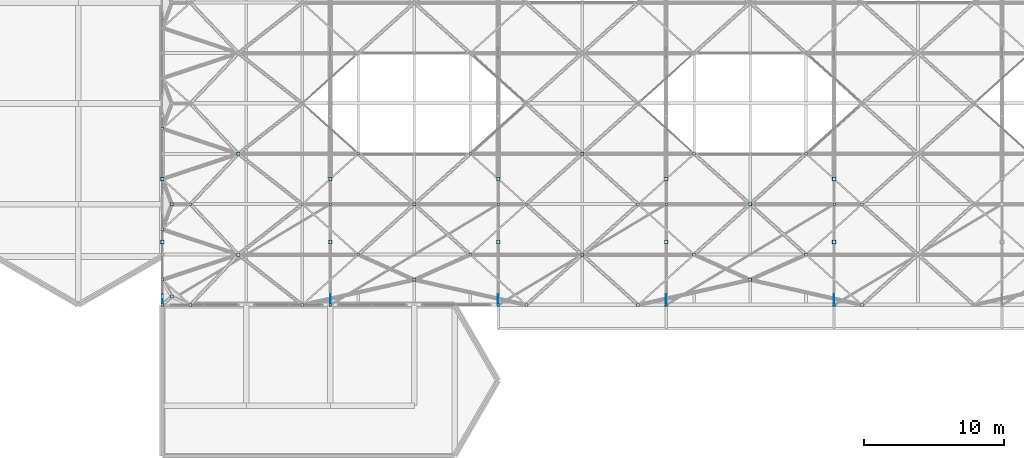
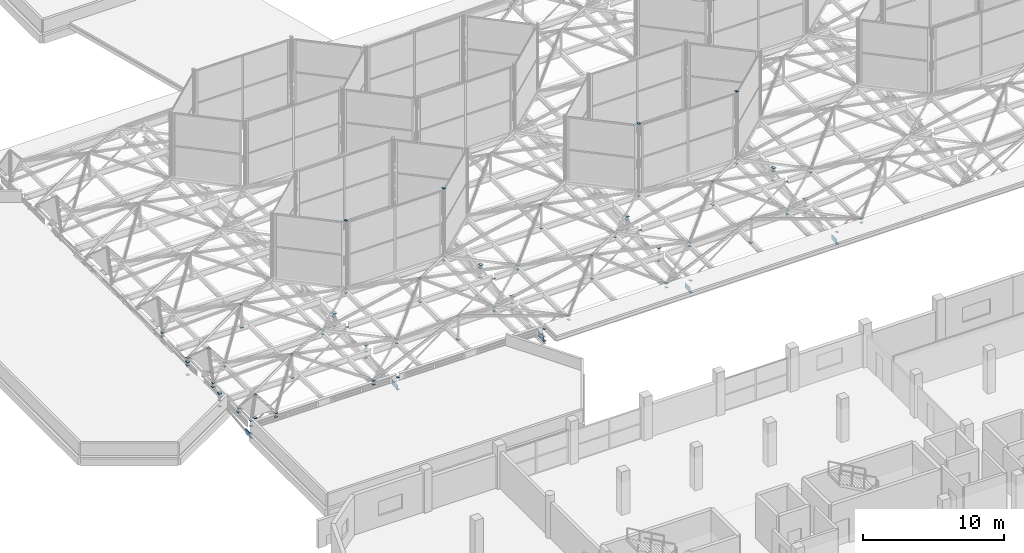
# One storey, part 218 of 239: 117 plates.
"""IFC4 building model written with IfcOpenShell, lengths in metres."""

from ifc_helpers import new_model, si_unit, direction, frame, origin, origin_2d, place, context, subcontext, project, spatial, rectangle, extrude, material, layer, layer_set, type_object, element, save


model = new_model("IFC4")

# Units and contexts
model_context = context("Model", 3, precision=1e-05, world=origin(), true_north=direction((0.0, 1.0)))
body_context = subcontext(model_context, "Body", "Model", "MODEL_VIEW")
ifc_project = project(units=[si_unit("LENGTHUNIT", "METRE"), si_unit("AREAUNIT", "SQUARE_METRE"), si_unit("VOLUMEUNIT", "CUBIC_METRE"), si_unit("PLANEANGLEUNIT", "RADIAN"), si_unit("MASSUNIT", "GRAM", prefix="KILO")], contexts=[model_context])

# Site, building, storey
site_placement = place(None, origin())
site = spatial("IfcSite", under=ifc_project, at=site_placement, CompositionType="ELEMENT")
building_placement = place(site_placement, origin())
building = spatial("IfcBuilding", under=site, at=building_placement, Name="Dunvalen Ferry Terminal", CompositionType="ELEMENT")
storey_placement = place(building_placement, frame((0.0, 0.0, 9.840087890625)))
storey = spatial("IfcBuildingStorey", under=building, at=storey_placement, Name="L02", CompositionType="ELEMENT", Elevation=9.840087890625)

# Plates
ifc_material = material(Name="Steel S355", Category="steel")
ifc_layer_1 = layer(ifc_material, 0.02001953125, Name="Steel S355")
ifc_layer_set_1 = layer_set([ifc_layer_1], Name="Steel S355")
plate_type_1 = type_object("IfcPlateType", Name="STR-PL-GUSSET-01", PredefinedType="USERDEFINED", material=ifc_layer_set_1)
for number, where, z_axis, x_axis, name in (
    (1, (12.0, 54.89990234375, 0.760009765625), (0.0, 0.0, 1.0), (1.0, 0.0, 0.0), "Departure Hall Spandrel Strut Cap Plate 01.1"),
    (2, (12.0, 59.39990234375, 0.760009765625), (0.0, 0.0, 1.0), (1.0, 0.0, 0.0), "Departure Hall Spandrel Strut Cap Plate 01.2"),
    (3, (24.0, 54.89990234375, 0.760009765625), (0.0, 0.0, 1.0), (1.0, 0.0, 0.0), "Departure Hall Spandrel Strut Cap Plate 02.1"),
    (4, (24.0, 59.39990234375, 0.760009765625), (0.0, 0.0, 1.0), (1.0, 0.0, 0.0), "Departure Hall Spandrel Strut Cap Plate 02.2"),
    (5, (36.0, 54.89990234375, 0.760009765625), (0.0, 0.0, 1.0), (1.0, 0.0, 0.0), "Departure Hall Spandrel Strut Cap Plate 03.1"),
    (6, (36.0, 59.39990234375, 0.760009765625), (0.0, 0.0, 1.0), (1.0, 0.0, 0.0), "Departure Hall Spandrel Strut Cap Plate 03.2"),
    (7, (48.0, 54.89990234375, 0.760009765625), (0.0, 0.0, 1.0), (1.0, 0.0, 0.0), "Departure Hall Spandrel Strut Cap Plate 04.1"),
    (8, (48.0, 59.39990234375, 0.760009765625), (0.0, 0.0, 1.0), (1.0, 0.0, 0.0), "Departure Hall Spandrel Strut Cap Plate 04.2"),
    (9, (60.0, 54.89990234375, 0.760009765625), (0.0, 0.0, 1.0), (1.0, 0.0, 0.0), "Departure Hall Spandrel Strut Cap Plate 05.1"),
    (10, (60.0, 59.39990234375, 0.760009765625), (0.0, 0.0, 1.0), (1.0, 0.0, 0.0), "Departure Hall Spandrel Strut Cap Plate 05.2"),
):
    element("IfcPlate", number, at=place(storey_placement, frame(where, z_axis=z_axis, x_axis=x_axis)), inside=storey, type_object=plate_type_1, Name=name, ObjectType="GUSSET PLATE", PredefinedType="USERDEFINED", context=body_context, shape_type="SweptSolid", body=[
        extrude(rectangle(XDim=0.260009765625, YDim=0.260009765625, at=origin_2d()), origin(), (0.0, 0.0, 1.0), 0.02001953125),
    ])
for number, where, z_axis, x_axis, name in (
    (11, (12.0, 50.39990234375, 0.64990234375), (0.0, 0.0, 1.0), (1.0, 0.0, 0.0), "Departure Hall Wind Brace End Cap Plate 1.50.1"),
    (12, (24.0, 57.60009765625, 0.64990234375), (0.0, 0.0, 1.0), (1.0, 0.0, 0.0), "Departure Hall Wind Brace End Cap Plate 1.50.2"),
    (13, (24.0, 50.39990234375, 0.64990234375), (0.0, 0.0, 1.0), (1.0, 0.0, 0.0), "Departure Hall Wind Brace End Cap Plate 2.50.1"),
    (14, (36.0, 57.60009765625, 0.64990234375), (0.0, 0.0, 1.0), (1.0, 0.0, 0.0), "Departure Hall Wind Brace End Cap Plate 2.50.2"),
    (15, (36.0, 50.39990234375, 0.64990234375), (0.0, 0.0, 1.0), (1.0, 0.0, 0.0), "Departure Hall Wind Brace End Cap Plate 3.50.1"),
    (16, (48.0, 57.60009765625, 0.64990234375), (0.0, 0.0, 1.0), (1.0, 0.0, 0.0), "Departure Hall Wind Brace End Cap Plate 3.50.2"),
    (17, (48.0, 50.39990234375, 0.64990234375), (0.0, 0.0, 1.0), (1.0, 0.0, 0.0), "Departure Hall Wind Brace End Cap Plate 4.50.1"),
    (18, (60.0, 57.60009765625, 0.64990234375), (0.0, 0.0, 1.0), (1.0, 0.0, 0.0), "Departure Hall Wind Brace End Cap Plate 4.50.2"),
    (19, (60.0, 50.39990234375, 0.64990234375), (0.0, 0.0, 1.0), (1.0, 0.0, 0.0), "Departure Hall Wind Brace End Cap Plate 5.50.1"),
):
    element("IfcPlate", number, at=place(storey_placement, frame(where, z_axis=z_axis, x_axis=x_axis)), inside=storey, type_object=plate_type_1, Name=name, ObjectType="GUSSET PLATE", PredefinedType="USERDEFINED", context=body_context, shape_type="SweptSolid", body=[
        extrude(rectangle(XDim=0.179931640625, YDim=0.179931640625, at=origin_2d()), origin(), (0.0, 0.0, 1.0), 0.02001953125),
    ])
for number, where, z_axis, x_axis, name in (
    (20, (12.666748046875, 51.0, 0.760009765625), (0.0, 0.0, 1.0), (1.0, 0.0, 0.0), "HEX-01 Pyramid Apex Strut Base Cap Plate"),
    (21, (12.666748046875, 57.60009765625, 0.760009765625), (0.0, 0.0, 1.0), (1.0, 0.0, 0.0), "HEX-02 Pyramid Apex Strut Base Cap Plate"),
    (22, (17.4287109375, 54.0, 0.760009765625), (0.0, 0.0, 1.0), (1.0, 0.0, 0.0), "HEX-07 Pyramid Apex Strut Base Cap Plate"),
    (23, (17.4287109375, 61.199951171875, 0.760009765625), (0.0, 0.0, 1.0), (1.0, 0.0, 0.0), "HEX-08 Pyramid Apex Strut Base Cap Plate"),
    (24, (30.0, 52.199951171875, 0.760009765625), (0.0, 0.0, 1.0), (1.0, 0.0, 0.0), "HEX-12 Pyramid Apex Strut Base Cap Plate"),
    (25, (30.0, 57.60009765625, 0.760009765625), (0.0, 0.0, 1.0), (1.0, 0.0, 0.0), "HEX-13 Pyramid Apex Strut Base Cap Plate"),
    (26, (42.0, 54.0, 0.760009765625), (0.0, 0.0, 1.0), (1.0, 0.0, 0.0), "HEX-18 Pyramid Apex Strut Base Cap Plate"),
    (27, (42.0, 61.199951171875, 0.760009765625), (0.0, 0.0, 1.0), (1.0, 0.0, 0.0), "HEX-19 Pyramid Apex Strut Base Cap Plate"),
    (28, (54.0, 52.199951171875, 0.760009765625), (0.0, 0.0, 1.0), (1.0, 0.0, 0.0), "HEX-23 Pyramid Apex Strut Base Cap Plate"),
    (29, (54.0, 57.60009765625, 0.760009765625), (0.0, 0.0, 1.0), (1.0, 0.0, 0.0), "HEX-24 Pyramid Apex Strut Base Cap Plate"),
):
    element("IfcPlate", number, at=place(storey_placement, frame(where, z_axis=z_axis, x_axis=x_axis)), inside=storey, type_object=plate_type_1, Name=name, ObjectType="GUSSET PLATE", PredefinedType="USERDEFINED", context=body_context, shape_type="SweptSolid", body=[
        extrude(rectangle(XDim=0.239990234375, YDim=0.239990234375, at=origin_2d()), origin(), (0.0, 0.0, 1.0), 0.02001953125),
    ])
for number, where, z_axis, x_axis, name in (
    (30, (12.0, 50.39990234375, -0.3701171875), (0.0, 0.0, 1.0), (1.0, 0.0, 0.0), "L02 Brace-Strut End Cleat Plate 001"),
    (31, (12.0, 54.89990234375, -0.3701171875), (0.0, 0.0, 1.0), (1.0, 0.0, 0.0), "L02 Brace-Strut End Cleat Plate 003"),
    (32, (12.0, 59.39990234375, -0.3701171875), (0.0, 0.0, 1.0), (1.0, 0.0, 0.0), "L02 Brace-Strut End Cleat Plate 005"),
    (33, (24.0, 54.89990234375, 0.15869140625), (0.0, 0.0, 1.0), (1.0, 0.0, 0.0), "L02 Brace-Strut End Cleat Plate 015"),
    (34, (24.0, 59.39990234375, 0.46484375), (0.0, 0.0, 1.0), (1.0, 0.0, 0.0), "L02 Brace-Strut End Cleat Plate 017"),
    (35, (36.0, 50.39990234375, -0.3701171875), (0.0, 0.0, 1.0), (1.0, 0.0, 0.0), "L02 Brace-Strut End Cleat Plate 027"),
    (36, (36.0, 54.89990234375, -0.3701171875), (0.0, 0.0, 1.0), (1.0, 0.0, 0.0), "L02 Brace-Strut End Cleat Plate 029"),
    (37, (36.0, 59.39990234375, -0.3701171875), (0.0, 0.0, 1.0), (1.0, 0.0, 0.0), "L02 Brace-Strut End Cleat Plate 031"),
    (38, (48.0, 54.89990234375, 0.15869140625), (0.0, 0.0, 1.0), (1.0, 0.0, 0.0), "L02 Brace-Strut End Cleat Plate 041"),
    (39, (48.0, 59.39990234375, 0.46484375), (0.0, 0.0, 1.0), (1.0, 0.0, 0.0), "L02 Brace-Strut End Cleat Plate 043"),
    (40, (60.0, 50.39990234375, -0.3701171875), (0.0, 0.0, 1.0), (1.0, 0.0, 0.0), "L02 Brace-Strut End Cleat Plate 053"),
    (41, (60.0, 54.89990234375, -0.3701171875), (0.0, 0.0, 1.0), (1.0, 0.0, 0.0), "L02 Brace-Strut End Cleat Plate 055"),
    (42, (60.0, 59.39990234375, -0.3701171875), (0.0, 0.0, 1.0), (1.0, 0.0, 0.0), "L02 Brace-Strut End Cleat Plate 057"),
    (43, (12.666748046875, 51.0, 2.7548828125), (0.0, 0.0, 1.0), (1.0, 0.0, 0.0), "L02 Brace-Strut End Cleat Plate 151"),
    (44, (14.0, 50.39990234375, 0.760009765625), (0.0, 0.0, 1.0), (1.0, 0.0, 0.0), "L02 Brace-Strut End Cleat Plate 153"),
    (45, (12.0, 52.199951171875, 0.760009765625), (0.0, 0.0, 1.0), (1.0, 0.0, 0.0), "L02 Brace-Strut End Cleat Plate 155"),
    (46, (12.666748046875, 57.60009765625, 2.7548828125), (0.0, 0.0, 1.0), (1.0, 0.0, 0.0), "L02 Brace-Strut End Cleat Plate 157"),
    (47, (12.0, 55.800048828125, 1.08984375), (0.0, 0.0, 1.0), (1.0, 0.0, 0.0), "L02 Brace-Strut End Cleat Plate 159"),
    (48, (14.0, 57.60009765625, 1.08984375), (0.0, 0.0, 1.0), (1.0, 0.0, 0.0), "L02 Brace-Strut End Cleat Plate 161"),
    (49, (12.0, 63.0, 1.08984375), (0.0, 0.0, 1.0), (1.0, 0.0, 0.0), "L02 Brace-Strut End Cleat Plate 165"),
    (50, (22.0, 50.39990234375, 0.760009765625), (0.0, 0.0, 1.0), (1.0, 0.0, 0.0), "L02 Brace-Strut End Cleat Plate 191"),
    (51, (26.0, 54.0, 0.760009765625), (0.0, 0.0, 1.0), (1.0, 0.0, 0.0), "L02 Brace-Strut End Cleat Plate 193"),
    (52, (22.0, 57.60009765625, 0.760009765625), (0.0, 0.0, 1.0), (1.0, 0.0, 0.0), "L02 Brace-Strut End Cleat Plate 195"),
    (53, (17.4287109375, 61.199951171875, 2.7548828125), (0.0, 0.0, 1.0), (1.0, 0.0, 0.0), "L02 Brace-Strut End Cleat Plate 197"),
    (54, (26.0, 61.199951171875, 1.08984375), (0.0, 0.0, 1.0), (1.0, 0.0, 0.0), "L02 Brace-Strut End Cleat Plate 199"),
    (55, (30.0, 52.199951171875, 2.7548828125), (0.0, 0.0, 1.0), (1.0, 0.0, 0.0), "L02 Brace-Strut End Cleat Plate 217"),
    (56, (38.0, 50.39990234375, 1.08984375), (0.0, 0.0, 1.0), (1.0, 0.0, 0.0), "L02 Brace-Strut End Cleat Plate 219"),
    (57, (34.0, 54.0, 1.08984375), (0.0, 0.0, 1.0), (1.0, 0.0, 0.0), "L02 Brace-Strut End Cleat Plate 221"),
    (58, (38.0, 57.60009765625, 0.760009765625), (0.0, 0.0, 1.0), (1.0, 0.0, 0.0), "L02 Brace-Strut End Cleat Plate 223"),
    (59, (34.0, 61.199951171875, 0.760009765625), (0.0, 0.0, 1.0), (1.0, 0.0, 0.0), "L02 Brace-Strut End Cleat Plate 225"),
    (60, (34.0, 61.199951171875, 6.989990234375), (0.0, 0.0, 1.0), (1.0, 0.0, 0.0), "L02 Brace-Strut End Cleat Plate 229"),
    (61, (42.0, 54.0, 2.7548828125), (0.0, 0.0, 1.0), (1.0, 0.0, 0.0), "L02 Brace-Strut End Cleat Plate 253"),
    (62, (46.0, 50.39990234375, 1.08984375), (0.0, 0.0, 1.0), (1.0, 0.0, 0.0), "L02 Brace-Strut End Cleat Plate 255"),
    (63, (50.0, 54.0, 1.08984375), (0.0, 0.0, 1.0), (1.0, 0.0, 0.0), "L02 Brace-Strut End Cleat Plate 257"),
    (64, (46.0, 57.60009765625, 1.08984375), (0.0, 0.0, 1.0), (1.0, 0.0, 0.0), "L02 Brace-Strut End Cleat Plate 259"),
    (65, (50.0, 61.199951171875, 0.760009765625), (0.0, 0.0, 1.0), (1.0, 0.0, 0.0), "L02 Brace-Strut End Cleat Plate 261"),
    (66, (62.0, 50.39990234375, 0.760009765625), (0.0, 0.0, 1.0), (1.0, 0.0, 0.0), "L02 Brace-Strut End Cleat Plate 285"),
    (67, (58.0, 54.0, 0.760009765625), (0.0, 0.0, 1.0), (1.0, 0.0, 0.0), "L02 Brace-Strut End Cleat Plate 287"),
    (68, (54.0, 57.60009765625, 2.7548828125), (0.0, 0.0, 1.0), (1.0, 0.0, 0.0), "L02 Brace-Strut End Cleat Plate 289"),
    (69, (62.0, 57.60009765625, 1.08984375), (0.0, 0.0, 1.0), (1.0, 0.0, 0.0), "L02 Brace-Strut End Cleat Plate 291"),
    (70, (58.0, 61.199951171875, 1.08984375), (0.0, 0.0, 1.0), (1.0, 0.0, 0.0), "L02 Brace-Strut End Cleat Plate 293"),
    (71, (50.0, 61.199951171875, 6.989990234375), (0.0, 0.0, 1.0), (1.0, 0.0, 0.0), "L02 Brace-Strut End Cleat Plate 295"),
):
    element("IfcPlate", number, at=place(storey_placement, frame(where, z_axis=z_axis, x_axis=x_axis)), inside=storey, type_object=plate_type_1, Name=name, ObjectType="GUSSET PLATE", PredefinedType="USERDEFINED", context=body_context, shape_type="SweptSolid", body=[
        extrude(rectangle(XDim=0.199951171875, YDim=0.199951171875, at=origin_2d()), origin(), (0.0, 0.0, 1.0), 0.02001953125),
    ])
ifc_layer_2 = layer(ifc_material, 0.02587890625, Name="Steel S355")
ifc_layer_set_2 = layer_set([ifc_layer_2], Name="Steel S355")
plate_type_2 = type_object("IfcPlateType", Name="STR-PL-GUSSET-02", PredefinedType="USERDEFINED", material=ifc_layer_set_2)
for number, where, z_axis, x_axis, name in (
    (72, (12.0, 50.800048828125, -0.46484375), (0.0, 0.0, 1.0), (1.0, 0.0, 0.0), "Departure Hall Arch Gusset Plate 01.1"),
    (73, (24.0, 50.800048828125, -0.46484375), (0.0, 0.0, 1.0), (1.0, 0.0, 0.0), "Departure Hall Arch Gusset Plate 02.1"),
    (74, (36.0, 50.800048828125, -0.46484375), (0.0, 0.0, 1.0), (1.0, 0.0, 0.0), "Departure Hall Arch Gusset Plate 03.1"),
    (75, (48.0, 50.800048828125, -0.46484375), (0.0, 0.0, 1.0), (1.0, 0.0, 0.0), "Departure Hall Arch Gusset Plate 04.1"),
    (76, (60.0, 50.800048828125, -0.46484375), (0.0, 0.0, 1.0), (1.0, 0.0, 0.0), "Departure Hall Arch Gusset Plate 05.1"),
):
    element("IfcPlate", number, at=place(storey_placement, frame(where, z_axis=z_axis, x_axis=x_axis)), inside=storey, type_object=plate_type_2, Name=name, ObjectType="GUSSET PLATE", PredefinedType="USERDEFINED", context=body_context, shape_type="SweptSolid", body=[
        extrude(rectangle(XDim=0.031982421875, YDim=0.75, at=origin_2d()), origin(), (0.0, 0.0, 1.0), 0.449951171875),
    ])
for number, where, z_axis, x_axis, name in (
    (77, (12.0, 54.89990234375, 0.15576171875), (0.0, 0.0, 1.0), (1.0, 0.0, 0.0), "L02 Brace-Strut End Cleat Plate 002"),
    (78, (12.0, 59.39990234375, 0.4619140625), (0.0, 0.0, 1.0), (1.0, 0.0, 0.0), "L02 Brace-Strut End Cleat Plate 004"),
    (79, (24.0, 50.39990234375, -0.373046875), (0.0, 0.0, 1.0), (1.0, 0.0, 0.0), "L02 Brace-Strut End Cleat Plate 014"),
    (80, (24.0, 54.89990234375, -0.373046875), (0.0, 0.0, 1.0), (1.0, 0.0, 0.0), "L02 Brace-Strut End Cleat Plate 016"),
    (81, (24.0, 59.39990234375, -0.373046875), (0.0, 0.0, 1.0), (1.0, 0.0, 0.0), "L02 Brace-Strut End Cleat Plate 018"),
    (82, (36.0, 54.89990234375, 0.15576171875), (0.0, 0.0, 1.0), (1.0, 0.0, 0.0), "L02 Brace-Strut End Cleat Plate 028"),
    (83, (36.0, 59.39990234375, 0.4619140625), (0.0, 0.0, 1.0), (1.0, 0.0, 0.0), "L02 Brace-Strut End Cleat Plate 030"),
    (84, (48.0, 50.39990234375, -0.373046875), (0.0, 0.0, 1.0), (1.0, 0.0, 0.0), "L02 Brace-Strut End Cleat Plate 040"),
    (85, (48.0, 54.89990234375, -0.373046875), (0.0, 0.0, 1.0), (1.0, 0.0, 0.0), "L02 Brace-Strut End Cleat Plate 042"),
    (86, (48.0, 59.39990234375, -0.373046875), (0.0, 0.0, 1.0), (1.0, 0.0, 0.0), "L02 Brace-Strut End Cleat Plate 044"),
    (87, (60.0, 54.89990234375, 0.15576171875), (0.0, 0.0, 1.0), (1.0, 0.0, 0.0), "L02 Brace-Strut End Cleat Plate 054"),
    (88, (60.0, 59.39990234375, 0.4619140625), (0.0, 0.0, 1.0), (1.0, 0.0, 0.0), "L02 Brace-Strut End Cleat Plate 056"),
    (89, (12.0, 50.39990234375, 1.0869140625), (0.0, 0.0, 1.0), (1.0, 0.0, 0.0), "L02 Brace-Strut End Cleat Plate 152"),
    (90, (14.0, 50.39990234375, 1.0869140625), (0.0, 0.0, 1.0), (1.0, 0.0, 0.0), "L02 Brace-Strut End Cleat Plate 154"),
    (91, (12.0, 52.199951171875, 1.0869140625), (0.0, 0.0, 1.0), (1.0, 0.0, 0.0), "L02 Brace-Strut End Cleat Plate 156"),
    (92, (12.0, 55.800048828125, 0.757080078125), (0.0, 0.0, 1.0), (1.0, 0.0, 0.0), "L02 Brace-Strut End Cleat Plate 158"),
    (93, (14.0, 57.60009765625, 0.757080078125), (0.0, 0.0, 1.0), (1.0, 0.0, 0.0), "L02 Brace-Strut End Cleat Plate 160"),
    (94, (12.0, 59.39990234375, 1.0869140625), (0.0, 0.0, 1.0), (1.0, 0.0, 0.0), "L02 Brace-Strut End Cleat Plate 162"),
    (95, (12.0, 63.0, 0.757080078125), (0.0, 0.0, 1.0), (1.0, 0.0, 0.0), "L02 Brace-Strut End Cleat Plate 164"),
    (96, (17.4287109375, 54.0, 2.751953125), (0.0, 0.0, 1.0), (1.0, 0.0, 0.0), "L02 Brace-Strut End Cleat Plate 190"),
    (97, (22.0, 50.39990234375, 1.0869140625), (0.0, 0.0, 1.0), (1.0, 0.0, 0.0), "L02 Brace-Strut End Cleat Plate 192"),
    (98, (26.0, 54.0, 1.0869140625), (0.0, 0.0, 1.0), (1.0, 0.0, 0.0), "L02 Brace-Strut End Cleat Plate 194"),
    (99, (22.0, 57.60009765625, 1.0869140625), (0.0, 0.0, 1.0), (1.0, 0.0, 0.0), "L02 Brace-Strut End Cleat Plate 196"),
    (100, (26.0, 61.199951171875, 0.757080078125), (0.0, 0.0, 1.0), (1.0, 0.0, 0.0), "L02 Brace-Strut End Cleat Plate 198"),
    (101, (38.0, 50.39990234375, 0.757080078125), (0.0, 0.0, 1.0), (1.0, 0.0, 0.0), "L02 Brace-Strut End Cleat Plate 218"),
    (102, (34.0, 54.0, 0.757080078125), (0.0, 0.0, 1.0), (1.0, 0.0, 0.0), "L02 Brace-Strut End Cleat Plate 220"),
    (103, (30.0, 57.60009765625, 2.751953125), (0.0, 0.0, 1.0), (1.0, 0.0, 0.0), "L02 Brace-Strut End Cleat Plate 222"),
    (104, (38.0, 57.60009765625, 1.0869140625), (0.0, 0.0, 1.0), (1.0, 0.0, 0.0), "L02 Brace-Strut End Cleat Plate 224"),
    (105, (34.0, 61.199951171875, 1.0869140625), (0.0, 0.0, 1.0), (1.0, 0.0, 0.0), "L02 Brace-Strut End Cleat Plate 226"),
    (106, (26.0, 61.199951171875, 6.987060546875), (0.0, 0.0, 1.0), (1.0, 0.0, 0.0), "L02 Brace-Strut End Cleat Plate 228"),
    (107, (46.0, 50.39990234375, 0.757080078125), (0.0, 0.0, 1.0), (1.0, 0.0, 0.0), "L02 Brace-Strut End Cleat Plate 254"),
    (108, (50.0, 54.0, 0.757080078125), (0.0, 0.0, 1.0), (1.0, 0.0, 0.0), "L02 Brace-Strut End Cleat Plate 256"),
    (109, (46.0, 57.60009765625, 0.757080078125), (0.0, 0.0, 1.0), (1.0, 0.0, 0.0), "L02 Brace-Strut End Cleat Plate 258"),
    (110, (42.0, 61.199951171875, 2.751953125), (0.0, 0.0, 1.0), (1.0, 0.0, 0.0), "L02 Brace-Strut End Cleat Plate 260"),
    (111, (50.0, 61.199951171875, 1.0869140625), (0.0, 0.0, 1.0), (1.0, 0.0, 0.0), "L02 Brace-Strut End Cleat Plate 262"),
    (112, (54.0, 52.199951171875, 2.751953125), (0.0, 0.0, 1.0), (1.0, 0.0, 0.0), "L02 Brace-Strut End Cleat Plate 284"),
    (113, (62.0, 50.39990234375, 1.0869140625), (0.0, 0.0, 1.0), (1.0, 0.0, 0.0), "L02 Brace-Strut End Cleat Plate 286"),
    (114, (58.0, 54.0, 1.0869140625), (0.0, 0.0, 1.0), (1.0, 0.0, 0.0), "L02 Brace-Strut End Cleat Plate 288"),
    (115, (62.0, 57.60009765625, 0.757080078125), (0.0, 0.0, 1.0), (1.0, 0.0, 0.0), "L02 Brace-Strut End Cleat Plate 290"),
    (116, (58.0, 61.199951171875, 0.757080078125), (0.0, 0.0, 1.0), (1.0, 0.0, 0.0), "L02 Brace-Strut End Cleat Plate 292"),
    (117, (58.0, 61.199951171875, 6.987060546875), (0.0, 0.0, 1.0), (1.0, 0.0, 0.0), "L02 Brace-Strut End Cleat Plate 296"),
):
    element("IfcPlate", number, at=place(storey_placement, frame(where, z_axis=z_axis, x_axis=x_axis)), inside=storey, type_object=plate_type_2, Name=name, ObjectType="GUSSET PLATE", PredefinedType="USERDEFINED", context=body_context, shape_type="SweptSolid", body=[
        extrude(rectangle(XDim=0.199951171875, YDim=0.199951171875, at=origin_2d()), origin(), (0.0, 0.0, 1.0), 0.02587890625),
    ])

save(model, "model.ifc")
